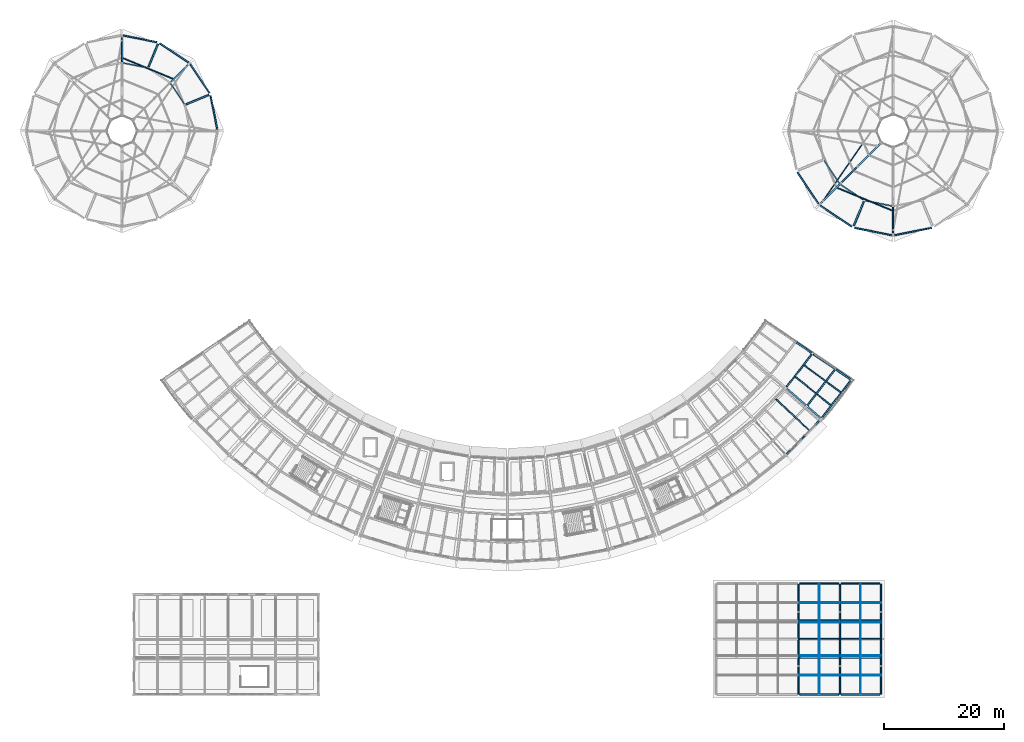
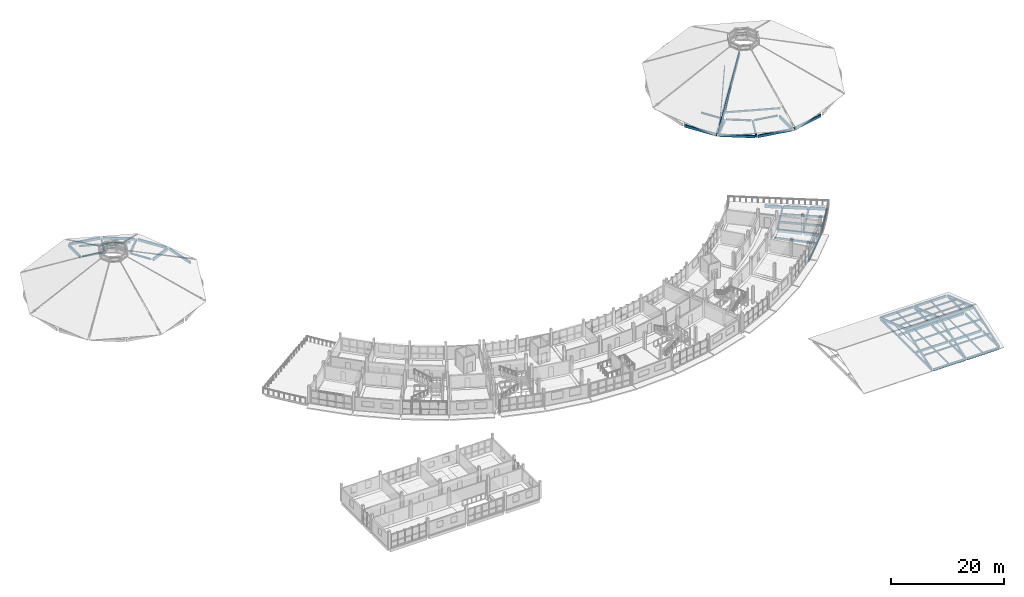
# One storey, part 34 of 66: 57 beams, 22 members.
"""IFC4 building model written with IfcOpenShell, lengths in metres."""

from ifc_helpers import new_model, si_unit, direction, frame, origin, origin_2d, place, context, subcontext, project, spatial, rectangle, hollow_rectangle, hollow_circle, i_section, extrude, material, material_profile, profile_set, type_object, element, save


model = new_model("IFC4")

# Units and contexts
model_context = context("Model", 3, precision=1e-05, world=origin(), true_north=direction((0.0, 1.0)))
body_context = subcontext(model_context, "Body", "Model", "MODEL_VIEW")
ifc_project = project(units=[si_unit("LENGTHUNIT", "METRE"), si_unit("AREAUNIT", "SQUARE_METRE"), si_unit("VOLUMEUNIT", "CUBIC_METRE"), si_unit("PLANEANGLEUNIT", "RADIAN"), si_unit("MASSUNIT", "GRAM", prefix="KILO")], contexts=[model_context])

# Site, building, storey
site_placement = place(None, origin())
site = spatial("IfcSite", under=ifc_project, at=site_placement, CompositionType="ELEMENT")
building_placement = place(site_placement, origin())
building = spatial("IfcBuilding", under=site, at=building_placement, Name="Caldaven Crescent School", CompositionType="ELEMENT")
storey_placement = place(building_placement, frame((0.0, 0.0, 8.159912109375)))
storey = spatial("IfcBuildingStorey", under=building, at=storey_placement, Name="L02", CompositionType="ELEMENT", Elevation=8.159912109375)

# Beams
ifc_material_1 = material(Name="Glulam MLE24h (GL28h)", Category="wood")
ifc_material_profile_1 = material_profile(ifc_material_1, rectangle(XDim=0.2099609375, YDim=0.510009765625, at=origin_2d()), Name="MLE 210x510")
ifc_profile_set_1 = profile_set([ifc_material_profile_1], Name="Glulam MLE24h (GL28h)")
beam_type_1 = type_object("IfcBeamType", Name="BM-GL51", PredefinedType="BEAM", material=ifc_profile_set_1)
beam_1_placement = place(storey_placement, frame((136.699951171875, 4.405029296875, -0.474853515625), z_axis=(0.0, 1.0, 0.0), x_axis=(-1.0, 0.0, 0.0)))
element("IfcBeam", 1, at=beam_1_placement, inside=storey, type_object=beam_type_1, Name="BMY-V3-L02-0526", PredefinedType="BEAM", context=body_context, shape_type="SweptSolid", body=[
    extrude(rectangle(XDim=0.2099609375, YDim=0.510009765625, at=origin_2d()), origin(), (0.0, 0.0, 1.0), 5.804931640625),
])
beam_2_placement = place(storey_placement, frame((136.699951171875, 10.590087890625, -0.474853515625), z_axis=(0.0, 1.0, 0.0), x_axis=(-1.0, 0.0, 0.0)))
element("IfcBeam", 2, at=beam_2_placement, inside=storey, type_object=beam_type_1, Name="BMY-V3-L02-0527", PredefinedType="BEAM", context=body_context, shape_type="SweptSolid", body=[
    extrude(rectangle(XDim=0.2099609375, YDim=0.510009765625, at=origin_2d()), origin(), (0.0, 0.0, 1.0), 5.81982421875),
])
for number, where, z_axis, x_axis, name in (
    (3, (136.699951171875, 16.7900390625, -0.474853515625), (0.0, 1.0, 0.0), (-1.0, 0.0, 0.0), "BMY-V3-L02-0528"),
    (4, (143.60009765625, 4.405029296875, -0.474853515625), (0.0, 1.0, 0.0), (-1.0, 0.0, 0.0), "BMY-V3-L02-0529"),
):
    element("IfcBeam", number, at=place(storey_placement, frame(where, z_axis=z_axis, x_axis=x_axis)), inside=storey, type_object=beam_type_1, Name=name, PredefinedType="BEAM", context=body_context, shape_type="SweptSolid", body=[
        extrude(rectangle(XDim=0.2099609375, YDim=0.510009765625, at=origin_2d()), origin(), (0.0, 0.0, 1.0), 5.804931640625),
    ])
beam_3_placement = place(storey_placement, frame((143.60009765625, 10.590087890625, -0.474853515625), z_axis=(0.0, 1.0, 0.0), x_axis=(-1.0, 0.0, 0.0)))
element("IfcBeam", 5, at=beam_3_placement, inside=storey, type_object=beam_type_1, Name="BMY-V3-L02-0530", PredefinedType="BEAM", context=body_context, shape_type="SweptSolid", body=[
    extrude(rectangle(XDim=0.2099609375, YDim=0.510009765625, at=origin_2d()), origin(), (0.0, 0.0, 1.0), 5.81982421875),
])
beam_4_placement = place(storey_placement, frame((143.60009765625, 16.7900390625, -0.474853515625), z_axis=(0.0, 1.0, 0.0), x_axis=(-1.0, 0.0, 0.0)))
element("IfcBeam", 6, at=beam_4_placement, inside=storey, type_object=beam_type_1, Name="BMY-V3-L02-0531", PredefinedType="BEAM", context=body_context, shape_type="SweptSolid", body=[
    extrude(rectangle(XDim=0.2099609375, YDim=0.510009765625, at=origin_2d()), origin(), (0.0, 0.0, 1.0), 5.804931640625),
])
for number, where, z_axis, x_axis, name in (
    (7, (150.5, 4.405029296875, -0.474853515625), (0.0, 1.0, 0.0), (-1.0, 0.0, 0.0), "BMY-V3-L02-0532"),
    (8, (150.5, 10.60498046875, -0.474853515625), (0.0, 1.0, 0.0), (-1.0, 0.0, 0.0), "BMY-V3-L02-0533"),
    (9, (150.5, 16.804931640625, -0.474853515625), (0.0, 1.0, 0.0), (-1.0, 0.0, 0.0), "BMY-V3-L02-0534"),
):
    element("IfcBeam", number, at=place(storey_placement, frame(where, z_axis=z_axis, x_axis=x_axis)), inside=storey, type_object=beam_type_1, Name=name, PredefinedType="BEAM", context=body_context, shape_type="SweptSolid", body=[
        extrude(rectangle(XDim=0.2099609375, YDim=0.510009765625, at=origin_2d()), origin(), (0.0, 0.0, 1.0), 5.7900390625),
    ])
ifc_material_profile_2 = material_profile(ifc_material_1, rectangle(XDim=0.239990234375, YDim=0.5400390625, at=origin_2d()), Name="MLE 240x540")
ifc_profile_set_2 = profile_set([ifc_material_profile_2], Name="Glulam MLE24h (GL28h)")
beam_type_2 = type_object("IfcBeamType", Name="BM-GL54", PredefinedType="BEAM", material=ifc_profile_set_2)
for number, where, z_axis, x_axis, name in (
    (10, (136.820068359375, 13.5, 2.690185546875), (1.0, 0.0, 0.0), (0.0, 1.0, 0.0), "RDG-V3-L02-0717"),
    (11, (143.719970703125, 13.5, 2.690185546875), (1.0, 0.0, 0.0), (0.0, 1.0, 0.0), "RDG-V3-L02-0718"),
):
    element("IfcBeam", number, at=place(storey_placement, frame(where, z_axis=z_axis, x_axis=x_axis)), inside=storey, type_object=beam_type_2, Name=name, PredefinedType="BEAM", context=body_context, shape_type="SweptSolid", body=[
        extrude(rectangle(XDim=0.239990234375, YDim=0.5400390625, at=origin_2d()), origin(), (0.0, 0.0, 1.0), 6.659912109375),
    ])
beam_5_placement = place(storey_placement, frame((134.690673828125, 55.68359375, -0.52001953125), z_axis=(0.610409413831, 0.792086073294, 0.0), x_axis=(-0.792086073294, 0.610409413831, 0.0)))
element("IfcBeam", 12, at=beam_5_placement, inside=storey, type_object=beam_type_2, Name="BMT-V4E-L02-1333", PredefinedType="BEAM", context=body_context, shape_type="SweptSolid", body=[
    extrude(rectangle(XDim=0.239990234375, YDim=0.5400390625, at=origin_2d()), origin(), (0.0, 0.0, 1.0), 6.870849609375),
])
beam_6_placement = place(storey_placement, frame((138.19091796875, 52.62109375, -0.52001953125), z_axis=(0.610383651882, 0.792105925691, 0.0), x_axis=(-0.792105925691, 0.610383651882, 0.0)))
element("IfcBeam", 13, at=beam_6_placement, inside=storey, type_object=beam_type_2, Name="BMT-V4E-L02-1334", PredefinedType="BEAM", context=body_context, shape_type="SweptSolid", body=[
    extrude(rectangle(XDim=0.239990234375, YDim=0.5400390625, at=origin_2d()), origin(), (0.0, 0.0, 1.0), 7.44970703125),
])
ifc_material_profile_3 = material_profile(ifc_material_1, rectangle(XDim=0.280029296875, YDim=0.6298828125, at=origin_2d()), Name="MLE 280x630")
ifc_profile_set_3 = profile_set([ifc_material_profile_3], Name="Glulam MLE24h (GL28h)")
beam_type_3 = type_object("IfcBeamType", Name="BM-GL63", PredefinedType="BEAM", material=ifc_profile_set_3)
beam_7_placement = place(storey_placement, frame((143.448974609375, 89.448974609375, -0.534912109375), z_axis=(-0.707106781187, -0.707106781187, 0.0), x_axis=(0.707106781187, -0.707106781187, 0.0)))
element("IfcBeam", 14, at=beam_7_placement, inside=storey, type_object=beam_type_3, Name="BM-V1-L02-0173", PredefinedType="BEAM", context=body_context, shape_type="SweptSolid", body=[
    extrude(rectangle(XDim=0.280029296875, YDim=0.6298828125, at=origin_2d()), origin(), (0.0, 0.0, 1.0), 4.439697265625),
])
for number, where, z_axis, x_axis, name in (
    (15, (147.6015625, 86.67431640625, -0.534912109375), (-0.382654507719, -0.923891512961, 0.0), (0.923891512961, -0.382654507719, 0.0), "BM-V1-L02-0176"),
    (16, (152.5, 85.699951171875, -0.534912109375), (0.0, -1.0, 0.0), (1.0, 0.0, 0.0), "BM-V1-L02-0179"),
):
    element("IfcBeam", number, at=place(storey_placement, frame(where, z_axis=z_axis, x_axis=x_axis)), inside=storey, type_object=beam_type_3, Name=name, PredefinedType="BEAM", context=body_context, shape_type="SweptSolid", body=[
        extrude(rectangle(XDim=0.280029296875, YDim=0.6298828125, at=origin_2d()), origin(), (0.0, 0.0, 1.0), 4.43994140625),
    ])
beam_8_placement = place(storey_placement, frame((34.217041015625, 102.939208984375, -0.534912109375), z_axis=(0.923880985108, 0.382679925467, 0.0), x_axis=(-0.382679925467, 0.923880985108, 0.0)))
element("IfcBeam", 17, at=beam_8_placement, inside=storey, type_object=beam_type_3, Name="BM-V2-L02-0352", PredefinedType="BEAM", context=body_context, shape_type="SweptSolid", body=[
    extrude(rectangle(XDim=0.280029296875, YDim=0.6298828125, at=origin_2d()), origin(), (0.0, 0.0, 1.0), 4.139892578125),
])
beam_9_placement = place(storey_placement, frame((31.702392578125, 106.702392578125, -0.534912109375), z_axis=(0.707106781187, 0.707106781187, 0.0), x_axis=(-0.707106781187, 0.707106781187, 0.0)))
element("IfcBeam", 18, at=beam_9_placement, inside=storey, type_object=beam_type_3, Name="BM-V2-L02-0355", PredefinedType="BEAM", context=body_context, shape_type="SweptSolid", body=[
    extrude(rectangle(XDim=0.280029296875, YDim=0.6298828125, at=origin_2d()), origin(), (0.0, 0.0, 1.0), 4.14013671875),
])
for number, where, z_axis, x_axis, name in (
    (19, (27.939208984375, 109.217041015625, -0.534912109375), (0.382679925467, 0.923880985108, 0.0), (-0.923880985108, 0.382679925467, 0.0), "BM-V2-L02-0358"),
    (20, (23.5, 110.10009765625, -0.534912109375), (0.0, 1.0, 0.0), (-1.0, 0.0, 0.0), "BM-V2-L02-0361"),
):
    element("IfcBeam", number, at=place(storey_placement, frame(where, z_axis=z_axis, x_axis=x_axis)), inside=storey, type_object=beam_type_3, Name=name, PredefinedType="BEAM", context=body_context, shape_type="SweptSolid", body=[
        extrude(rectangle(XDim=0.280029296875, YDim=0.6298828125, at=origin_2d()), origin(), (0.0, 0.0, 1.0), 4.139892578125),
    ])
beam_10_placement = place(storey_placement, frame((134.72021484375, 55.38671875, -0.56494140625), z_axis=(0.754726561374, -0.6560394939, 0.0), x_axis=(0.6560394939, 0.754726561374, 0.0)))
element("IfcBeam", 21, at=beam_10_placement, inside=storey, type_object=beam_type_3, Name="BMR-V4E-L02-1293", PredefinedType="BEAM", context=body_context, shape_type="SweptSolid", body=[
    extrude(rectangle(XDim=0.280029296875, YDim=0.6298828125, at=origin_2d()), origin(), (0.0, 0.0, 1.0), 4.255126953125),
])
beam_11_placement = place(storey_placement, frame((138.21826171875, 52.345947265625, -0.56494140625), z_axis=(0.754728516552, -0.656037244601, 0.0), x_axis=(0.656037244601, 0.754728516552, 0.0)))
element("IfcBeam", 22, at=beam_11_placement, inside=storey, type_object=beam_type_3, Name="BMR-V4E-L02-1294", PredefinedType="BEAM", context=body_context, shape_type="SweptSolid", body=[
    extrude(rectangle(XDim=0.280029296875, YDim=0.6298828125, at=origin_2d()), origin(), (0.0, 0.0, 1.0), 2.820068359375),
])
beam_12_placement = place(storey_placement, frame((136.368408203125, 63.0859375, -0.56494140625), z_axis=(0.826736616188, -0.562589164003, 0.0), x_axis=(0.562589164003, 0.826736616188, 0.0)))
element("IfcBeam", 23, at=beam_12_placement, inside=storey, type_object=beam_type_3, Name="BMR-V4E-L02-1296", PredefinedType="BEAM", context=body_context, shape_type="SweptSolid", body=[
    extrude(rectangle(XDim=0.280029296875, YDim=0.6298828125, at=origin_2d()), origin(), (0.0, 0.0, 1.0), 2.989990234375),
])
beam_13_placement = place(storey_placement, frame((139.17919921875, 61.173095703125, -0.56494140625), z_axis=(0.826742902341, -0.562579926258, 0.0), x_axis=(0.562579926258, 0.826742902341, 0.0)))
element("IfcBeam", 24, at=beam_13_placement, inside=storey, type_object=beam_type_3, Name="BMR-V4E-L02-1297", PredefinedType="BEAM", context=body_context, shape_type="SweptSolid", body=[
    extrude(rectangle(XDim=0.280029296875, YDim=0.6298828125, at=origin_2d()), origin(), (0.0, 0.0, 1.0), 4.255126953125),
])
beam_14_placement = place(storey_placement, frame((143.01123046875, 58.5654296875, -0.56494140625), z_axis=(0.826738047964, -0.562587059972, 0.0), x_axis=(0.562587059972, 0.826738047964, 0.0)))
element("IfcBeam", 25, at=beam_14_placement, inside=storey, type_object=beam_type_3, Name="BMR-V4E-L02-1298", PredefinedType="BEAM", context=body_context, shape_type="SweptSolid", body=[
    extrude(rectangle(XDim=0.280029296875, YDim=0.6298828125, at=origin_2d()), origin(), (0.0, 0.0, 1.0), 2.81982421875),
])
ifc_material_2 = material(Name="Steel ASTM A572 Grade 50", Category="steel")
ifc_material_profile_4 = material_profile(ifc_material_2, i_section(OverallWidth=0.205078125, OverallDepth=0.35400390625, WebThickness=0.009521484375, FlangeThickness=0.016845703125, FilletRadius=0.014892578125, at=origin_2d()), Name="W360x79")
ifc_profile_set_4 = profile_set([ifc_material_profile_4], Name="Steel ASTM A572 Grade 50")
beam_type_4 = type_object("IfcBeamType", Name="BM-W36", PredefinedType="BEAM", material=ifc_profile_set_4)
for number, where, z_axis, x_axis, name in (
    (26, (140.97021484375, 93.511962890625, -0.39697265625), (0.55556067933, -0.831475995794, 0.0), (0.831475995794, 0.55556067933, 0.0), "BM-V1-L02-0171"),
    (27, (143.7568359375, 89.479248046875, -0.39697265625), (0.831475995794, -0.55556067933, 0.0), (0.55556067933, 0.831475995794, 0.0), "BM-V1-L02-0174"),
):
    element("IfcBeam", number, at=place(storey_placement, frame(where, z_axis=z_axis, x_axis=x_axis)), inside=storey, type_object=beam_type_4, Name=name, PredefinedType="BEAM", context=body_context, shape_type="SweptSolid", body=[
        extrude(i_section(OverallWidth=0.205078125, OverallDepth=0.35400390625, WebThickness=0.009521484375, FlangeThickness=0.016845703125, FilletRadius=0.014892578125, at=origin_2d()), origin(), (0.0, 0.0, 1.0), 4.51611328125),
    ])
beam_15_placement = place(storey_placement, frame((147.874267578125, 86.820068359375, -0.39697265625), z_axis=(0.980785962977, -0.195086890453, 0.0), x_axis=(0.195086890453, 0.980785962977, 0.0)))
element("IfcBeam", 28, at=beam_15_placement, inside=storey, type_object=beam_type_4, Name="BM-V1-L02-0177", PredefinedType="BEAM", context=body_context, shape_type="SweptSolid", body=[
    extrude(i_section(OverallWidth=0.205078125, OverallDepth=0.35400390625, WebThickness=0.009521484375, FlangeThickness=0.016845703125, FilletRadius=0.014892578125, at=origin_2d()), origin(), (0.0, 0.0, 1.0), 4.516357421875),
])
beam_16_placement = place(storey_placement, frame((33.921142578125, 103.02880859375, -0.39697265625), z_axis=(-0.55556277476, 0.831474595704, 0.0), x_axis=(-0.831474595704, -0.55556277476, 0.0)))
element("IfcBeam", 29, at=beam_16_placement, inside=storey, type_object=beam_type_4, Name="BM-V2-L02-0353", PredefinedType="BEAM", context=body_context, shape_type="SweptSolid", body=[
    extrude(i_section(OverallWidth=0.205078125, OverallDepth=0.35400390625, WebThickness=0.009521484375, FlangeThickness=0.016845703125, FilletRadius=0.014892578125, at=origin_2d()), origin(), (0.0, 0.0, 1.0), 4.048095703125),
])
beam_17_placement = place(storey_placement, frame((27.66650390625, 109.0712890625, -0.39697265625), z_axis=(-0.980784262971, 0.195095436925, 0.0), x_axis=(-0.195095436925, -0.980784262971, 0.0)))
element("IfcBeam", 30, at=beam_17_placement, inside=storey, type_object=beam_type_4, Name="BM-V2-L02-0359", PredefinedType="BEAM", context=body_context, shape_type="SweptSolid", body=[
    extrude(i_section(OverallWidth=0.205078125, OverallDepth=0.35400390625, WebThickness=0.009521484375, FlangeThickness=0.016845703125, FilletRadius=0.014892578125, at=origin_2d()), origin(), (0.0, 0.0, 1.0), 4.04833984375),
])

# Members
ifc_material_profile_5 = material_profile(ifc_material_2, hollow_circle(Radius=0.05712890625, WallThickness=0.008056640625, at=origin_2d()), Name="CHS 114.3x8.0")
ifc_profile_set_5 = profile_set([ifc_material_profile_5], Name="Steel ASTM A572 Grade 50")
member_type_1 = type_object("IfcMemberType", Name="BR-CH11", PredefinedType="BRACE", material=ifc_profile_set_5)
member_1_placement = place(storey_placement, frame((140.76171875, 86.79248046875, -0.49365234375), z_axis=(0.502608493528, 0.723041750878, 0.473914896075), x_axis=(-0.821105893223, 0.570775886066, 0.0)))
element("IfcMember", 31, at=member_1_placement, inside=storey, type_object=member_type_1, Name="RBR-V1-04-X2A", PredefinedType="BRACE", context=body_context, shape_type="SweptSolid", body=[
    extrude(hollow_circle(Radius=0.05712890625, WallThickness=0.008056640625, at=origin_2d()), origin(), (0.0, 0.0, 1.0), 13.230712890625),
])
ifc_material_profile_6 = material_profile(ifc_material_2, hollow_circle(Radius=0.06982421875, WallThickness=0.010009765625, at=origin_2d()), Name="CHS 139.7x10.0")
ifc_profile_set_6 = profile_set([ifc_material_profile_6], Name="Steel ASTM A572 Grade 50")
member_type_2 = type_object("IfcMemberType", Name="BR-CH14", PredefinedType="BRACE", material=ifc_profile_set_6)
for number, where, z_axis, x_axis, name in (
    (32, (136.699951171875, 8.969970703125, 1.16015625), (0.0, 1.0, 0.0), (-1.0, 0.0, 0.0), "TIE-V3-2"),
    (33, (143.60009765625, 8.969970703125, 1.16015625), (0.0, 1.0, 0.0), (-1.0, 0.0, 0.0), "TIE-V3-3"),
    (34, (150.5, 8.969970703125, 1.16015625), (0.0, 1.0, 0.0), (-1.0, 0.0, 0.0), "TIE-V3-4"),
):
    element("IfcMember", number, at=place(storey_placement, frame(where, z_axis=z_axis, x_axis=x_axis)), inside=storey, type_object=member_type_2, Name=name, PredefinedType="BRACE", context=body_context, shape_type="SweptSolid", body=[
        extrude(hollow_circle(Radius=0.06982421875, WallThickness=0.010009765625, at=origin_2d()), origin(), (0.0, 0.0, 1.0), 9.06005859375),
    ])
ifc_material_profile_7 = material_profile(ifc_material_1, rectangle(XDim=0.239990234375, YDim=0.47998046875, at=origin_2d()), Name="MLE 240x480")
ifc_profile_set_7 = profile_set([ifc_material_profile_7], Name="Glulam MLE24h (GL28h)")
member_type_3 = type_object("IfcMemberType", Name="CH-GL48", PredefinedType="CHORD", material=ifc_profile_set_7)
for number, where, z_axis, x_axis, name in (
    (35, (136.699951171875, 4.332275390625, -0.394287109375), (0.0, 0.945593674135, 0.325349970702), (-1.0, 0.0, 0.0), "RAF-V3-2-S"),
    (36, (136.699951171875, 22.667724609375, -0.394287109375), (0.0, -0.945593674135, 0.325349970702), (1.0, 0.0, 0.0), "RAF-V3-2-N"),
    (37, (143.60009765625, 4.332275390625, -0.394287109375), (0.0, 0.945593674135, 0.325349970702), (-1.0, 0.0, 0.0), "RAF-V3-3-S"),
    (38, (143.60009765625, 22.667724609375, -0.394287109375), (0.0, -0.945593674135, 0.325349970702), (1.0, 0.0, 0.0), "RAF-V3-3-N"),
    (39, (150.5, 4.332275390625, -0.394287109375), (0.0, 0.945593674135, 0.325349970702), (-1.0, 0.0, 0.0), "RAF-V3-4-S"),
    (40, (150.5, 22.667724609375, -0.394287109375), (0.0, -0.945593674135, 0.325349970702), (1.0, 0.0, 0.0), "RAF-V3-4-N"),
):
    element("IfcMember", number, at=place(storey_placement, frame(where, z_axis=z_axis, x_axis=x_axis)), inside=storey, type_object=member_type_3, Name=name, PredefinedType="CHORD", context=body_context, shape_type="SweptSolid", body=[
        extrude(rectangle(XDim=0.239990234375, YDim=0.47998046875, at=origin_2d()), origin(), (0.0, 0.0, 1.0), 9.59521484375),
    ])
ifc_material_profile_8 = material_profile(ifc_material_1, rectangle(XDim=0.280029296875, YDim=0.68994140625, at=origin_2d()), Name="MLE 280x690")
ifc_profile_set_8 = profile_set([ifc_material_profile_8], Name="Glulam MLE24h (GL28h)")
member_type_4 = type_object("IfcMemberType", Name="CH-GL69", PredefinedType="CHORD", material=ifc_profile_set_8)
member_2_placement = place(storey_placement, frame((140.25048828125, 86.25048828125, -0.466064453125), z_axis=(0.624624322492, 0.624624322492, 0.468709837215), x_axis=(-0.707106781187, 0.707106781187, 0.0)))
element("IfcMember", 41, at=member_2_placement, inside=storey, type_object=member_type_4, Name="TC-V1-05", PredefinedType="CHORD", context=body_context, shape_type="SweptSolid", body=[
    extrude(rectangle(XDim=0.280029296875, YDim=0.68994140625, at=origin_2d()), origin(), (0.0, 0.0, 1.0), 16.421142578125),
])

# Beams
ifc_material_profile_9 = material_profile(ifc_material_1, rectangle(XDim=0.14990234375, YDim=0.300048828125, at=origin_2d()), Name="MLE 150x300")
ifc_profile_set_9 = profile_set([ifc_material_profile_9], Name="Glulam MLE24h (GL28h)")
beam_type_5 = type_object("IfcBeamType", Name="JS-GL30", PredefinedType="JOIST", material=ifc_profile_set_9)
beam_18_placement = place(storey_placement, frame((140.14990234375, 4.31494140625, -0.369873046875), z_axis=(0.0, 1.0, 0.0), x_axis=(-1.0, 0.0, 0.0)))
element("IfcBeam", 42, at=beam_18_placement, inside=storey, type_object=beam_type_5, Name="JS-V3-L02-0540", PredefinedType="JOIST", context=body_context, shape_type="SweptSolid", body=[
    extrude(rectangle(XDim=0.14990234375, YDim=0.300048828125, at=origin_2d()), origin(), (0.0, 0.0, 1.0), 5.969970703125),
])
beam_19_placement = place(storey_placement, frame((140.14990234375, 10.514892578125, -0.369873046875), z_axis=(0.0, 1.0, 0.0), x_axis=(-1.0, 0.0, 0.0)))
element("IfcBeam", 43, at=beam_19_placement, inside=storey, type_object=beam_type_5, Name="JS-V3-L02-0541", PredefinedType="JOIST", context=body_context, shape_type="SweptSolid", body=[
    extrude(rectangle(XDim=0.14990234375, YDim=0.300048828125, at=origin_2d()), origin(), (0.0, 0.0, 1.0), 5.97021484375),
])
for number, where, z_axis, x_axis, name in (
    (44, (140.14990234375, 16.715087890625, -0.369873046875), (0.0, 1.0, 0.0), (-1.0, 0.0, 0.0), "JS-V3-L02-0542"),
    (45, (147.050048828125, 4.31494140625, -0.369873046875), (0.0, 1.0, 0.0), (-1.0, 0.0, 0.0), "JS-V3-L02-0543"),
):
    element("IfcBeam", number, at=place(storey_placement, frame(where, z_axis=z_axis, x_axis=x_axis)), inside=storey, type_object=beam_type_5, Name=name, PredefinedType="JOIST", context=body_context, shape_type="SweptSolid", body=[
        extrude(rectangle(XDim=0.14990234375, YDim=0.300048828125, at=origin_2d()), origin(), (0.0, 0.0, 1.0), 5.969970703125),
    ])
beam_20_placement = place(storey_placement, frame((147.050048828125, 10.514892578125, -0.369873046875), z_axis=(0.0, 1.0, 0.0), x_axis=(-1.0, 0.0, 0.0)))
element("IfcBeam", 46, at=beam_20_placement, inside=storey, type_object=beam_type_5, Name="JS-V3-L02-0544", PredefinedType="JOIST", context=body_context, shape_type="SweptSolid", body=[
    extrude(rectangle(XDim=0.14990234375, YDim=0.300048828125, at=origin_2d()), origin(), (0.0, 0.0, 1.0), 5.97021484375),
])
beam_21_placement = place(storey_placement, frame((147.050048828125, 16.715087890625, -0.369873046875), z_axis=(0.0, 1.0, 0.0), x_axis=(-1.0, 0.0, 0.0)))
element("IfcBeam", 47, at=beam_21_placement, inside=storey, type_object=beam_type_5, Name="JS-V3-L02-0545", PredefinedType="JOIST", context=body_context, shape_type="SweptSolid", body=[
    extrude(rectangle(XDim=0.14990234375, YDim=0.300048828125, at=origin_2d()), origin(), (0.0, 0.0, 1.0), 5.969970703125),
])
ifc_material_profile_10 = material_profile(ifc_material_1, rectangle(XDim=0.2099609375, YDim=0.419921875, at=origin_2d()), Name="MLE 210x420")
ifc_profile_set_10 = profile_set([ifc_material_profile_10], Name="Glulam MLE24h (GL28h)")
beam_type_6 = type_object("IfcBeamType", Name="JS-GL42", PredefinedType="JOIST", material=ifc_profile_set_10)
beam_22_placement = place(storey_placement, frame((132.88916015625, 53.651123046875, -0.4599609375), z_axis=(0.727395768379, -0.686218184067, 0.0), x_axis=(0.686218184067, 0.727395768379, 0.0)))
element("IfcBeam", 48, at=beam_22_placement, inside=storey, type_object=beam_type_6, Name="JSR-V4E-L02-1330", PredefinedType="JOIST", context=body_context, shape_type="SweptSolid", body=[
    extrude(rectangle(XDim=0.2099609375, YDim=0.419921875, at=origin_2d()), origin(), (0.0, 0.0, 1.0), 7.60693359375),
])
for number, where, z_axis, x_axis, name in (
    (49, (136.13671875, 57.37158203125, -0.4599609375), (0.779931824174, -0.625864481849, 0.0), (0.625864481849, 0.779931824174, 0.0), "JSR-V4E-L02-1337"),
    (50, (137.620849609375, 59.297607421875, -0.4599609375), (0.803968012715, -0.594672543952, 0.0), (0.594672543952, 0.803968012715, 0.0), "JSR-V4E-L02-1339"),
):
    element("IfcBeam", number, at=place(storey_placement, frame(where, z_axis=z_axis, x_axis=x_axis)), inside=storey, type_object=beam_type_6, Name=name, PredefinedType="JOIST", context=body_context, shape_type="SweptSolid", body=[
        extrude(rectangle(XDim=0.2099609375, YDim=0.419921875, at=origin_2d()), origin(), (0.0, 0.0, 1.0), 7.60791015625),
    ])

# Members
ifc_material_profile_11 = material_profile(ifc_material_1, rectangle(XDim=0.14990234375, YDim=0.300048828125, at=origin_2d()), Name="MLE 150x300")
ifc_profile_set_11 = profile_set([ifc_material_profile_11], Name="Glulam MLE24h (GL28h)")
member_type_5 = type_object("IfcMemberType", Name="PR-GL30", PredefinedType="PURLIN", material=ifc_profile_set_11)
for number, where, z_axis, x_axis, name in (
    (51, (136.81005859375, 7.455078125, 0.68017578125), (1.0, 0.0, 0.0), (0.0, 1.0, 0.0), "PUR-V3-2--1-35"),
    (52, (136.81005859375, 19.544921875, 0.68017578125), (1.0, 0.0, 0.0), (0.0, 1.0, 0.0), "PUR-V3-2-1-35"),
    (53, (136.81005859375, 10.7099609375, 1.800048828125), (1.0, 0.0, 0.0), (0.0, 1.0, 0.0), "PUR-V3-2--1-70"),
    (54, (136.81005859375, 16.2900390625, 1.800048828125), (1.0, 0.0, 0.0), (0.0, 1.0, 0.0), "PUR-V3-2-1-70"),
    (55, (143.7099609375, 7.455078125, 0.68017578125), (1.0, 0.0, 0.0), (0.0, 1.0, 0.0), "PUR-V3-3--1-35"),
    (56, (143.7099609375, 19.544921875, 0.68017578125), (1.0, 0.0, 0.0), (0.0, 1.0, 0.0), "PUR-V3-3-1-35"),
    (57, (143.7099609375, 10.7099609375, 1.800048828125), (1.0, 0.0, 0.0), (0.0, 1.0, 0.0), "PUR-V3-3--1-70"),
    (58, (143.7099609375, 16.2900390625, 1.800048828125), (1.0, 0.0, 0.0), (0.0, 1.0, 0.0), "PUR-V3-3-1-70"),
):
    element("IfcMember", number, at=place(storey_placement, frame(where, z_axis=z_axis, x_axis=x_axis)), inside=storey, type_object=member_type_5, Name=name, PredefinedType="PURLIN", context=body_context, shape_type="SweptSolid", body=[
        extrude(rectangle(XDim=0.14990234375, YDim=0.300048828125, at=origin_2d()), origin(), (0.0, 0.0, 1.0), 6.679931640625),
    ])
ifc_material_profile_12 = material_profile(ifc_material_1, rectangle(XDim=0.179931640625, YDim=0.360107421875, at=origin_2d()), Name="MLE 180x360")
ifc_profile_set_12 = profile_set([ifc_material_profile_12], Name="Glulam MLE24h (GL28h)")
member_type_6 = type_object("IfcMemberType", Name="PR-GL36", PredefinedType="PURLIN", material=ifc_profile_set_12)
member_3_placement = place(storey_placement, frame((143.14697265625, 88.990234375, 1.6240234375), z_axis=(0.923874947428, -0.382694501548, 0.0), x_axis=(0.382694501548, 0.923874947428, 0.0)))
element("IfcMember", 59, at=member_3_placement, inside=storey, type_object=member_type_6, Name="PUR-V1-05-0", PredefinedType="PURLIN", context=body_context, shape_type="SweptSolid", body=[
    extrude(rectangle(XDim=0.179931640625, YDim=0.360107421875, at=origin_2d()), origin(), (0.0, 0.0, 1.0), 10.003662109375),
])
member_4_placement = place(storey_placement, frame((32.0498046875, 107.20654296875, 1.400146484375), z_axis=(-0.923876754235, 0.38269013965, 0.0), x_axis=(-0.38269013965, -0.923876754235, 0.0)))
element("IfcMember", 60, at=member_4_placement, inside=storey, type_object=member_type_6, Name="PUR-V2-01-0", PredefinedType="PURLIN", context=body_context, shape_type="SweptSolid", body=[
    extrude(rectangle(XDim=0.179931640625, YDim=0.360107421875, at=origin_2d()), origin(), (0.0, 0.0, 1.0), 9.13427734375),
])

# Beams
ifc_material_profile_13 = material_profile(ifc_material_1, rectangle(XDim=0.239990234375, YDim=0.47998046875, at=origin_2d()), Name="MLE 240x480")
ifc_profile_set_13 = profile_set([ifc_material_profile_13], Name="Glulam MLE24h (GL28h)")
beam_type_7 = type_object("IfcBeamType", Name="SP-GL48", PredefinedType="SPANDREL", material=ifc_profile_set_13)
for number, where, z_axis, x_axis, name in (
    (61, (136.905029296875, 4.199951171875, -0.4599609375), (1.0, 0.0, 0.0), (0.0, 1.0, 0.0), "BMX-V3-L02-0506"),
    (62, (143.804931640625, 4.199951171875, -0.4599609375), (1.0, 0.0, 0.0), (0.0, 1.0, 0.0), "BMX-V3-L02-0507"),
):
    element("IfcBeam", number, at=place(storey_placement, frame(where, z_axis=z_axis, x_axis=x_axis)), inside=storey, type_object=beam_type_7, Name=name, PredefinedType="SPANDREL", context=body_context, shape_type="SweptSolid", body=[
        extrude(rectangle(XDim=0.239990234375, YDim=0.47998046875, at=origin_2d()), origin(), (0.0, 0.0, 1.0), 6.489990234375),
    ])
beam_23_placement = place(storey_placement, frame((136.889892578125, 10.39990234375, -0.4599609375), z_axis=(1.0, 0.0, 0.0), x_axis=(0.0, 1.0, 0.0)))
element("IfcBeam", 63, at=beam_23_placement, inside=storey, type_object=beam_type_7, Name="BMX-V3-L02-0510", PredefinedType="SPANDREL", context=body_context, shape_type="SweptSolid", body=[
    extrude(rectangle(XDim=0.239990234375, YDim=0.47998046875, at=origin_2d()), origin(), (0.0, 0.0, 1.0), 6.52001953125),
])
beam_24_placement = place(storey_placement, frame((143.7900390625, 10.39990234375, -0.4599609375), z_axis=(1.0, 0.0, 0.0), x_axis=(0.0, 1.0, 0.0)))
element("IfcBeam", 64, at=beam_24_placement, inside=storey, type_object=beam_type_7, Name="BMX-V3-L02-0511", PredefinedType="SPANDREL", context=body_context, shape_type="SweptSolid", body=[
    extrude(rectangle(XDim=0.239990234375, YDim=0.47998046875, at=origin_2d()), origin(), (0.0, 0.0, 1.0), 6.5048828125),
])
beam_25_placement = place(storey_placement, frame((136.889892578125, 16.60009765625, -0.4599609375), z_axis=(1.0, 0.0, 0.0), x_axis=(0.0, 1.0, 0.0)))
element("IfcBeam", 65, at=beam_25_placement, inside=storey, type_object=beam_type_7, Name="BMX-V3-L02-0514", PredefinedType="SPANDREL", context=body_context, shape_type="SweptSolid", body=[
    extrude(rectangle(XDim=0.239990234375, YDim=0.47998046875, at=origin_2d()), origin(), (0.0, 0.0, 1.0), 6.52001953125),
])
beam_26_placement = place(storey_placement, frame((143.7900390625, 16.60009765625, -0.4599609375), z_axis=(1.0, 0.0, 0.0), x_axis=(0.0, 1.0, 0.0)))
element("IfcBeam", 66, at=beam_26_placement, inside=storey, type_object=beam_type_7, Name="BMX-V3-L02-0515", PredefinedType="SPANDREL", context=body_context, shape_type="SweptSolid", body=[
    extrude(rectangle(XDim=0.239990234375, YDim=0.47998046875, at=origin_2d()), origin(), (0.0, 0.0, 1.0), 6.5048828125),
])
for number, where, z_axis, x_axis, name in (
    (67, (136.905029296875, 22.800048828125, -0.4599609375), (1.0, 0.0, 0.0), (0.0, 1.0, 0.0), "BMX-V3-L02-0518"),
    (68, (143.804931640625, 22.800048828125, -0.4599609375), (1.0, 0.0, 0.0), (0.0, 1.0, 0.0), "BMX-V3-L02-0519"),
):
    element("IfcBeam", number, at=place(storey_placement, frame(where, z_axis=z_axis, x_axis=x_axis)), inside=storey, type_object=beam_type_7, Name=name, PredefinedType="SPANDREL", context=body_context, shape_type="SweptSolid", body=[
        extrude(rectangle(XDim=0.239990234375, YDim=0.47998046875, at=origin_2d()), origin(), (0.0, 0.0, 1.0), 6.489990234375),
    ])
ifc_material_profile_14 = material_profile(ifc_material_1, rectangle(XDim=0.239990234375, YDim=0.5400390625, at=origin_2d()), Name="MLE 240x540")
ifc_profile_set_14 = profile_set([ifc_material_profile_14], Name="Glulam MLE24h (GL28h)")
beam_type_8 = type_object("IfcBeamType", Name="SP-GL54", PredefinedType="SPANDREL", material=ifc_profile_set_14)
for number, where, z_axis, x_axis, name in (
    (69, (136.4765625, 91.5869140625, -0.489990234375), (0.555566223399, -0.831472291432, 0.0), (0.831472291432, 0.555566223399, 0.0), "BM-V1-L02-0172"),
    (70, (140.341796875, 85.981201171875, -0.489990234375), (0.831472291432, -0.555566223399, 0.0), (0.555566223399, 0.831472291432, 0.0), "BM-V1-L02-0175"),
    (71, (146.05810546875, 82.281494140625, -0.489990234375), (0.980784074908, -0.195096382354, 0.0), (0.195096382354, 0.980784074908, 0.0), "BM-V1-L02-0178"),
    (72, (152.7548828125, 81.05078125, -0.489990234375), (0.980784074908, 0.195096382354, 0.0), (-0.195096382354, 0.980784074908, 0.0), "BM-V1-L02-0181"),
):
    element("IfcBeam", number, at=place(storey_placement, frame(where, z_axis=z_axis, x_axis=x_axis)), inside=storey, type_object=beam_type_8, Name=name, PredefinedType="SPANDREL", context=body_context, shape_type="SweptSolid", body=[
        extrude(rectangle(XDim=0.239990234375, YDim=0.5400390625, at=origin_2d()), origin(), (0.0, 0.0, 1.0), 6.308349609375),
    ])
for number, where, z_axis, x_axis, name in (
    (73, (39.44921875, 98.7548828125, -0.489990234375), (-0.195082351248, 0.980786865854, 0.0), (-0.980786865854, -0.195082351248, 0.0), "BM-V2-L02-0351"),
    (74, (38.1376953125, 104.839111328125, -0.489990234375), (-0.555576082938, 0.831465703483, 0.0), (-0.831465703483, -0.555576082938, 0.0), "BM-V2-L02-0354"),
    (75, (34.597412109375, 109.958251953125, -0.489990234375), (-0.831465703483, 0.555576082938, 0.0), (-0.555576082938, -0.831465703483, 0.0), "BM-V2-L02-0357"),
    (76, (29.367919921875, 113.332763671875, -0.489990234375), (-0.980786865854, 0.195082351248, 0.0), (-0.195082351248, -0.980786865854, 0.0), "BM-V2-L02-0360"),
):
    element("IfcBeam", number, at=place(storey_placement, frame(where, z_axis=z_axis, x_axis=x_axis)), inside=storey, type_object=beam_type_8, Name=name, PredefinedType="SPANDREL", context=body_context, shape_type="SweptSolid", body=[
        extrude(rectangle(XDim=0.239990234375, YDim=0.5400390625, at=origin_2d()), origin(), (0.0, 0.0, 1.0), 5.722900390625),
    ])
beam_27_placement = place(storey_placement, frame((134.671142578125, 44.44970703125, -0.52001953125), z_axis=(0.700910145606, 0.713249583096, 0.0), x_axis=(-0.713249583096, 0.700910145606, 0.0)))
element("IfcBeam", 77, at=beam_27_placement, inside=storey, type_object=beam_type_8, Name="BMT-V4E-L02-1326", PredefinedType="SPANDREL", context=body_context, shape_type="SweptSolid", body=[
    extrude(rectangle(XDim=0.239990234375, YDim=0.5400390625, at=origin_2d()), origin(), (0.0, 0.0, 1.0), 8.112060546875),
])
beam_28_placement = place(storey_placement, frame((140.60595703125, 50.521484375, -0.52001953125), z_axis=(0.610388833728, 0.79210193262, 0.0), x_axis=(-0.79210193262, 0.610388833728, 0.0)))
element("IfcBeam", 78, at=beam_28_placement, inside=storey, type_object=beam_type_8, Name="BMT-V4E-L02-1335", PredefinedType="SPANDREL", context=body_context, shape_type="SweptSolid", body=[
    extrude(rectangle(XDim=0.239990234375, YDim=0.5400390625, at=origin_2d()), origin(), (0.0, 0.0, 1.0), 7.82763671875),
])

# Member
ifc_material_profile_15 = material_profile(ifc_material_2, hollow_rectangle(XDim=0.179931640625, YDim=0.179931640625, WallThickness=0.010009765625, InnerFilletRadius=0.010009765625, OuterFilletRadius=0.02001953125, at=origin_2d()), Name="HSS 180x180x10")
ifc_profile_set_15 = profile_set([ifc_material_profile_15], Name="Steel ASTM A572 Grade 50")
member_type_7 = type_object("IfcMemberType", Name="ST-HS18", PredefinedType="STRUT", material=ifc_profile_set_15)
member_5_placement = place(storey_placement, frame((143.84423828125, 89.84423828125, 1.271240234375), z_axis=(0.576018141486, 0.576018141486, 0.580005345973), x_axis=(-0.707106781187, 0.707106781187, 0.0)))
element("IfcMember", 79, at=member_5_placement, inside=storey, type_object=member_type_7, Name="WB-V1-05", PredefinedType="STRUT", context=body_context, shape_type="SweptSolid", body=[
    extrude(hollow_rectangle(XDim=0.179931640625, YDim=0.179931640625, WallThickness=0.010009765625, InnerFilletRadius=0.010009765625, OuterFilletRadius=0.02001953125, at=origin_2d()), origin(), (0.0, 0.0, 1.0), 4.59228515625),
])

save(model, "model.ifc")
